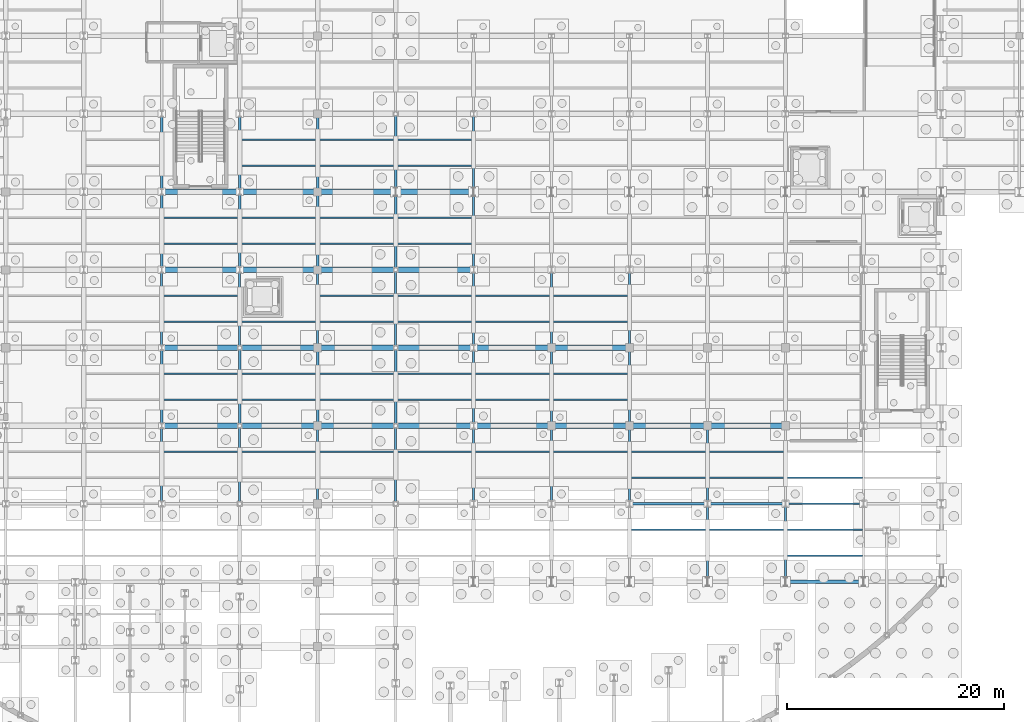
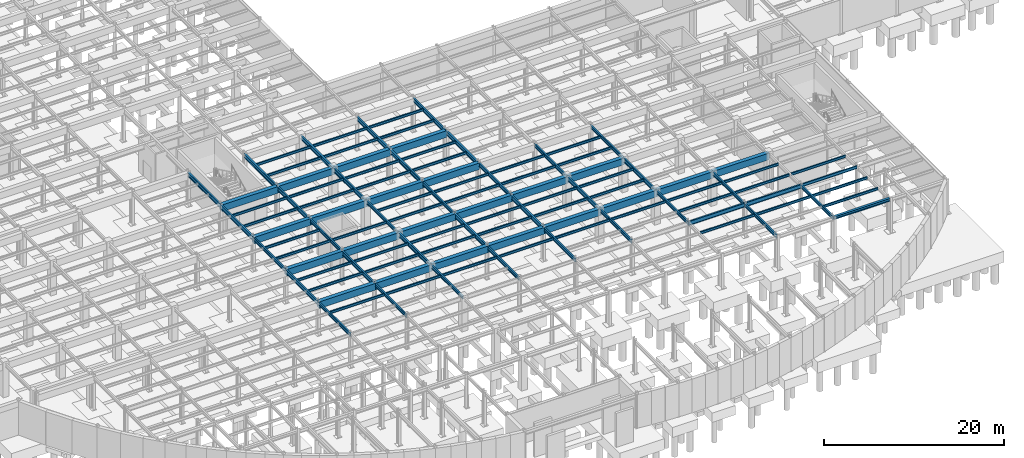
# One storey, part 35 of 64: 112 beams.
"""IFC4 building model written with IfcOpenShell, lengths in metres."""

from ifc_helpers import new_model, si_unit, direction, frame, origin, origin_2d, place, context, subcontext, project, spatial, rectangle, i_section, extrude, material, material_profile, profile_set, type_object, element, save


model = new_model("IFC4")

# Units and contexts
model_context = context("Model", 3, precision=1e-05, world=origin(), true_north=direction((0.0, 1.0)))
body_context = subcontext(model_context, "Body", "Model", "MODEL_VIEW")
ifc_project = project(units=[si_unit("LENGTHUNIT", "METRE"), si_unit("AREAUNIT", "SQUARE_METRE"), si_unit("VOLUMEUNIT", "CUBIC_METRE"), si_unit("PLANEANGLEUNIT", "RADIAN"), si_unit("MASSUNIT", "GRAM", prefix="KILO")], contexts=[model_context])

# Site, building, storey
site_placement = place(None, origin())
site = spatial("IfcSite", under=ifc_project, at=site_placement, CompositionType="ELEMENT")
building_placement = place(site_placement, origin())
building = spatial("IfcBuilding", under=site, at=building_placement, Name="Solvadek Multi-Sports Hall", CompositionType="ELEMENT")
storey_placement = place(building_placement, frame((0.0, 0.0, -4.800048828125)))
storey = spatial("IfcBuildingStorey", under=building, at=storey_placement, Name="B1", CompositionType="ELEMENT", Elevation=-4.800048828125)

# Beams
ifc_material_1 = material(Name="Steel E350 (350 MPa)", Category="steel")
ifc_material_profile_1 = material_profile(ifc_material_1, i_section(OverallWidth=0.139892578125, OverallDepth=0.39990234375, WebThickness=0.0087890625, FlangeThickness=0.01611328125, at=origin_2d()), Name="ISMB 400")
ifc_profile_set_1 = profile_set([ifc_material_profile_1], Name="Steel E350 (350 MPa)")
beam_type_1 = type_object("IfcBeamType", Name="STR-BM-ISMB400", PredefinedType="BEAM", material=ifc_profile_set_1)
beam_1_placement = place(storey_placement, frame((122.39990234375, 13.199951171875, 4.35009765625), z_axis=(1.0, 0.0, 0.0), x_axis=(0.0, 1.0, 0.0)))
element("IfcBeam", 1, at=beam_1_placement, inside=storey, type_object=beam_type_1, Name="B1 Girder B-10 #36", PredefinedType="BEAM", context=body_context, shape_type="SweptSolid", body=[
    extrude(i_section(OverallWidth=0.139892578125, OverallDepth=0.39990234375, WebThickness=0.0087890625, FlangeThickness=0.01611328125, at=origin_2d()), origin(), (0.0, 0.0, 1.0), 7.2001953125),
])
ifc_material_profile_2 = material_profile(ifc_material_1, i_section(OverallWidth=0.18994140625, OverallDepth=0.550048828125, WebThickness=0.01123046875, FlangeThickness=0.019287109375, at=origin_2d()), Name="ISMB 550")
ifc_profile_set_2 = profile_set([ifc_material_profile_2], Name="Steel E350 (350 MPa)")
beam_type_2 = type_object("IfcBeamType", Name="STR-BM-ISMB550", PredefinedType="BEAM", material=ifc_profile_set_2)
for number, where, z_axis, x_axis, name in (
    (2, (108.0, 13.199951171875, 4.275146484375), (1.0, 0.0, 0.0), (0.0, 1.0, 0.0), "B1 Girder B-06 #34"),
    (3, (115.199951171875, 13.199951171875, 4.275146484375), (1.0, 0.0, 0.0), (0.0, 1.0, 0.0), "B1 Girder B-06 #35"),
):
    element("IfcBeam", number, at=place(storey_placement, frame(where, z_axis=z_axis, x_axis=x_axis)), inside=storey, type_object=beam_type_2, Name=name, PredefinedType="BEAM", context=body_context, shape_type="SweptSolid", body=[
        extrude(i_section(OverallWidth=0.18994140625, OverallDepth=0.550048828125, WebThickness=0.01123046875, FlangeThickness=0.019287109375, at=origin_2d()), origin(), (0.0, 0.0, 1.0), 7.199951171875),
    ])
ifc_material_profile_3 = material_profile(ifc_material_1, i_section(OverallWidth=0.18994140625, OverallDepth=0.449951171875, WebThickness=0.009521484375, FlangeThickness=0.0146484375, at=origin_2d()), Name="NPB 450")
ifc_profile_set_3 = profile_set([ifc_material_profile_3], Name="Steel E350 (350 MPa)")
beam_type_3 = type_object("IfcBeamType", Name="STR-BM-NPB450", PredefinedType="BEAM", material=ifc_profile_set_3)
for number, where, z_axis, x_axis, name in (
    (4, (64.800048828125, 13.199951171875, 4.324951171875), (0.0, 1.0, 0.0), (-1.0, 0.0, 0.0), "B1 Girder B-08 #386"),
    (5, (64.800048828125, 27.60009765625, 4.324951171875), (0.0, 1.0, 0.0), (-1.0, 0.0, 0.0), "B1 Girder B-08 #388"),
    (6, (72.0, 13.199951171875, 4.324951171875), (0.0, 1.0, 0.0), (-1.0, 0.0, 0.0), "B1 Girder B-08 #406"),
    (7, (72.0, 27.60009765625, 4.324951171875), (0.0, 1.0, 0.0), (-1.0, 0.0, 0.0), "B1 Girder B-08 #408"),
    (8, (79.199951171875, 13.199951171875, 4.324951171875), (0.0, 1.0, 0.0), (-1.0, 0.0, 0.0), "B1 Girder B-08 #422"),
    (9, (79.199951171875, 27.60009765625, 4.324951171875), (0.0, 1.0, 0.0), (-1.0, 0.0, 0.0), "B1 Girder B-08 #424"),
    (10, (86.39990234375, 13.199951171875, 4.324951171875), (0.0, 1.0, 0.0), (-1.0, 0.0, 0.0), "B1 Girder B-08 #438"),
    (11, (86.39990234375, 27.60009765625, 4.324951171875), (0.0, 1.0, 0.0), (-1.0, 0.0, 0.0), "B1 Girder B-08 #440"),
    (12, (93.60009765625, 13.199951171875, 4.324951171875), (0.0, 1.0, 0.0), (-1.0, 0.0, 0.0), "B1 Girder B-08 #453"),
    (13, (93.60009765625, 27.60009765625, 4.324951171875), (0.0, 1.0, 0.0), (-1.0, 0.0, 0.0), "B1 Girder B-08 #455"),
    (14, (100.800048828125, 13.199951171875, 4.324951171875), (0.0, 1.0, 0.0), (-1.0, 0.0, 0.0), "B1 Girder B-08 #461"),
    (15, (100.800048828125, 27.60009765625, 4.324951171875), (0.0, 1.0, 0.0), (-1.0, 0.0, 0.0), "B1 Girder B-08 #463"),
    (16, (108.0, 13.199951171875, 4.324951171875), (0.0, 1.0, 0.0), (-1.0, 0.0, 0.0), "B1 Girder B-08 #470"),
    (17, (108.0, 27.60009765625, 4.324951171875), (0.0, 1.0, 0.0), (-1.0, 0.0, 0.0), "B1 Girder B-08 #472"),
    (18, (115.199951171875, 6.0, 4.324951171875), (0.0, 1.0, 0.0), (-1.0, 0.0, 0.0), "B1 Girder B-08 #477"),
    (19, (115.199951171875, 13.199951171875, 4.324951171875), (0.0, 1.0, 0.0), (-1.0, 0.0, 0.0), "B1 Girder B-08 #478"),
    (20, (122.39990234375, 6.0, 4.324951171875), (0.0, 1.0, 0.0), (-1.0, 0.0, 0.0), "B1 Girder B-08 #486"),
):
    element("IfcBeam", number, at=place(storey_placement, frame(where, z_axis=z_axis, x_axis=x_axis)), inside=storey, type_object=beam_type_3, Name=name, PredefinedType="BEAM", context=body_context, shape_type="SweptSolid", body=[
        extrude(i_section(OverallWidth=0.18994140625, OverallDepth=0.449951171875, WebThickness=0.009521484375, FlangeThickness=0.0146484375, at=origin_2d()), origin(), (0.0, 0.0, 1.0), 7.199951171875),
    ])
ifc_material_profile_4 = material_profile(ifc_material_1, i_section(OverallWidth=0.2099609375, OverallDepth=0.550048828125, WebThickness=0.010986328125, FlangeThickness=0.01708984375, at=origin_2d()), Name="NPB 550")
ifc_profile_set_4 = profile_set([ifc_material_profile_4], Name="Steel E350 (350 MPa)")
beam_type_4 = type_object("IfcBeamType", Name="STR-BM-NPB550", PredefinedType="BEAM", material=ifc_profile_set_4)
beam_2_placement = place(storey_placement, frame((64.800048828125, 20.39990234375, 4.275146484375), z_axis=(0.0, 1.0, 0.0), x_axis=(-1.0, 0.0, 0.0)))
element("IfcBeam", 21, at=beam_2_placement, inside=storey, type_object=beam_type_4, Name="B1 Girder B-05 #387", PredefinedType="BEAM", context=body_context, shape_type="SweptSolid", body=[
    extrude(i_section(OverallWidth=0.2099609375, OverallDepth=0.550048828125, WebThickness=0.010986328125, FlangeThickness=0.01708984375, at=origin_2d()), origin(), (0.0, 0.0, 1.0), 7.2001953125),
])
for number, where, z_axis, x_axis, name in (
    (22, (64.800048828125, 34.800048828125, 4.275146484375), (0.0, 1.0, 0.0), (-1.0, 0.0, 0.0), "B1 Girder B-05 #389"),
    (23, (64.800048828125, 42.0, 4.275146484375), (0.0, 1.0, 0.0), (-1.0, 0.0, 0.0), "B1 Girder B-05 #390"),
):
    element("IfcBeam", number, at=place(storey_placement, frame(where, z_axis=z_axis, x_axis=x_axis)), inside=storey, type_object=beam_type_4, Name=name, PredefinedType="BEAM", context=body_context, shape_type="SweptSolid", body=[
        extrude(i_section(OverallWidth=0.2099609375, OverallDepth=0.550048828125, WebThickness=0.010986328125, FlangeThickness=0.01708984375, at=origin_2d()), origin(), (0.0, 0.0, 1.0), 7.199951171875),
    ])
beam_3_placement = place(storey_placement, frame((72.0, 20.39990234375, 4.275146484375), z_axis=(0.0, 1.0, 0.0), x_axis=(-1.0, 0.0, 0.0)))
element("IfcBeam", 24, at=beam_3_placement, inside=storey, type_object=beam_type_4, Name="B1 Girder B-05 #407", PredefinedType="BEAM", context=body_context, shape_type="SweptSolid", body=[
    extrude(i_section(OverallWidth=0.2099609375, OverallDepth=0.550048828125, WebThickness=0.010986328125, FlangeThickness=0.01708984375, at=origin_2d()), origin(), (0.0, 0.0, 1.0), 7.2001953125),
])
for number, where, z_axis, x_axis, name in (
    (25, (72.0, 34.800048828125, 4.275146484375), (0.0, 1.0, 0.0), (-1.0, 0.0, 0.0), "B1 Girder B-05 #409"),
    (26, (72.0, 42.0, 4.275146484375), (0.0, 1.0, 0.0), (-1.0, 0.0, 0.0), "B1 Girder B-05 #410"),
):
    element("IfcBeam", number, at=place(storey_placement, frame(where, z_axis=z_axis, x_axis=x_axis)), inside=storey, type_object=beam_type_4, Name=name, PredefinedType="BEAM", context=body_context, shape_type="SweptSolid", body=[
        extrude(i_section(OverallWidth=0.2099609375, OverallDepth=0.550048828125, WebThickness=0.010986328125, FlangeThickness=0.01708984375, at=origin_2d()), origin(), (0.0, 0.0, 1.0), 7.199951171875),
    ])
beam_4_placement = place(storey_placement, frame((79.199951171875, 20.39990234375, 4.275146484375), z_axis=(0.0, 1.0, 0.0), x_axis=(-1.0, 0.0, 0.0)))
element("IfcBeam", 27, at=beam_4_placement, inside=storey, type_object=beam_type_4, Name="B1 Girder B-05 #423", PredefinedType="BEAM", context=body_context, shape_type="SweptSolid", body=[
    extrude(i_section(OverallWidth=0.2099609375, OverallDepth=0.550048828125, WebThickness=0.010986328125, FlangeThickness=0.01708984375, at=origin_2d()), origin(), (0.0, 0.0, 1.0), 7.2001953125),
])
for number, where, z_axis, x_axis, name in (
    (28, (79.199951171875, 34.800048828125, 4.275146484375), (0.0, 1.0, 0.0), (-1.0, 0.0, 0.0), "B1 Girder B-05 #425"),
    (29, (79.199951171875, 42.0, 4.275146484375), (0.0, 1.0, 0.0), (-1.0, 0.0, 0.0), "B1 Girder B-05 #426"),
):
    element("IfcBeam", number, at=place(storey_placement, frame(where, z_axis=z_axis, x_axis=x_axis)), inside=storey, type_object=beam_type_4, Name=name, PredefinedType="BEAM", context=body_context, shape_type="SweptSolid", body=[
        extrude(i_section(OverallWidth=0.2099609375, OverallDepth=0.550048828125, WebThickness=0.010986328125, FlangeThickness=0.01708984375, at=origin_2d()), origin(), (0.0, 0.0, 1.0), 7.199951171875),
    ])
beam_5_placement = place(storey_placement, frame((86.39990234375, 20.39990234375, 4.275146484375), z_axis=(0.0, 1.0, 0.0), x_axis=(-1.0, 0.0, 0.0)))
element("IfcBeam", 30, at=beam_5_placement, inside=storey, type_object=beam_type_4, Name="B1 Girder B-05 #439", PredefinedType="BEAM", context=body_context, shape_type="SweptSolid", body=[
    extrude(i_section(OverallWidth=0.2099609375, OverallDepth=0.550048828125, WebThickness=0.010986328125, FlangeThickness=0.01708984375, at=origin_2d()), origin(), (0.0, 0.0, 1.0), 7.2001953125),
])
for number, where, z_axis, x_axis, name in (
    (31, (86.39990234375, 34.800048828125, 4.275146484375), (0.0, 1.0, 0.0), (-1.0, 0.0, 0.0), "B1 Girder B-05 #441"),
    (32, (86.39990234375, 42.0, 4.275146484375), (0.0, 1.0, 0.0), (-1.0, 0.0, 0.0), "B1 Girder B-05 #442"),
):
    element("IfcBeam", number, at=place(storey_placement, frame(where, z_axis=z_axis, x_axis=x_axis)), inside=storey, type_object=beam_type_4, Name=name, PredefinedType="BEAM", context=body_context, shape_type="SweptSolid", body=[
        extrude(i_section(OverallWidth=0.2099609375, OverallDepth=0.550048828125, WebThickness=0.010986328125, FlangeThickness=0.01708984375, at=origin_2d()), origin(), (0.0, 0.0, 1.0), 7.199951171875),
    ])
beam_6_placement = place(storey_placement, frame((93.60009765625, 20.39990234375, 4.275146484375), z_axis=(0.0, 1.0, 0.0), x_axis=(-1.0, 0.0, 0.0)))
element("IfcBeam", 33, at=beam_6_placement, inside=storey, type_object=beam_type_4, Name="B1 Girder B-05 #454", PredefinedType="BEAM", context=body_context, shape_type="SweptSolid", body=[
    extrude(i_section(OverallWidth=0.2099609375, OverallDepth=0.550048828125, WebThickness=0.010986328125, FlangeThickness=0.01708984375, at=origin_2d()), origin(), (0.0, 0.0, 1.0), 7.2001953125),
])
for number, where, z_axis, x_axis, name in (
    (34, (93.60009765625, 34.800048828125, 4.275146484375), (0.0, 1.0, 0.0), (-1.0, 0.0, 0.0), "B1 Girder B-05 #456"),
    (35, (93.60009765625, 42.0, 4.275146484375), (0.0, 1.0, 0.0), (-1.0, 0.0, 0.0), "B1 Girder B-05 #457"),
):
    element("IfcBeam", number, at=place(storey_placement, frame(where, z_axis=z_axis, x_axis=x_axis)), inside=storey, type_object=beam_type_4, Name=name, PredefinedType="BEAM", context=body_context, shape_type="SweptSolid", body=[
        extrude(i_section(OverallWidth=0.2099609375, OverallDepth=0.550048828125, WebThickness=0.010986328125, FlangeThickness=0.01708984375, at=origin_2d()), origin(), (0.0, 0.0, 1.0), 7.199951171875),
    ])
for number, where, z_axis, x_axis, name in (
    (36, (100.800048828125, 20.39990234375, 4.275146484375), (0.0, 1.0, 0.0), (-1.0, 0.0, 0.0), "B1 Girder B-05 #462"),
    (37, (108.0, 20.39990234375, 4.275146484375), (0.0, 1.0, 0.0), (-1.0, 0.0, 0.0), "B1 Girder B-05 #471"),
):
    element("IfcBeam", number, at=place(storey_placement, frame(where, z_axis=z_axis, x_axis=x_axis)), inside=storey, type_object=beam_type_4, Name=name, PredefinedType="BEAM", context=body_context, shape_type="SweptSolid", body=[
        extrude(i_section(OverallWidth=0.2099609375, OverallDepth=0.550048828125, WebThickness=0.010986328125, FlangeThickness=0.01708984375, at=origin_2d()), origin(), (0.0, 0.0, 1.0), 7.2001953125),
    ])
ifc_material_profile_5 = material_profile(ifc_material_1, i_section(OverallWidth=0.159912109375, OverallDepth=0.330078125, WebThickness=0.007568359375, FlangeThickness=0.011474609375, at=origin_2d()), Name="NPB 330")
ifc_profile_set_5 = profile_set([ifc_material_profile_5], Name="Steel E350 (350 MPa)")
beam_type_5 = type_object("IfcBeamType", Name="STR-JST-NPB330", PredefinedType="JOIST", material=ifc_profile_set_5)
for number, where, z_axis, x_axis, name in (
    (38, (108.094970703125, 10.800048828125, 4.385009765625), (1.0, 0.0, 0.0), (0.0, 1.0, 0.0), "B1 Composite Joist J-02 #26"),
    (39, (115.294921875, 10.800048828125, 4.385009765625), (1.0, 0.0, 0.0), (0.0, 1.0, 0.0), "B1 Composite Joist J-02 #28"),
):
    element("IfcBeam", number, at=place(storey_placement, frame(where, z_axis=z_axis, x_axis=x_axis)), inside=storey, type_object=beam_type_5, Name=name, PredefinedType="JOIST", context=body_context, shape_type="SweptSolid", body=[
        extrude(i_section(OverallWidth=0.159912109375, OverallDepth=0.330078125, WebThickness=0.007568359375, FlangeThickness=0.011474609375, at=origin_2d()), origin(), (0.0, 0.0, 1.0), 7.010009765625),
    ])
for number, where, z_axis, x_axis, name in (
    (40, (122.4951171875, 8.39990234375, 4.385009765625), (1.0, 0.0, 0.0), (0.0, 1.0, 0.0), "B1 Composite Joist J-02 #29"),
    (41, (122.4951171875, 10.800048828125, 4.385009765625), (1.0, 0.0, 0.0), (0.0, 1.0, 0.0), "B1 Composite Joist J-02 #30"),
):
    element("IfcBeam", number, at=place(storey_placement, frame(where, z_axis=z_axis, x_axis=x_axis)), inside=storey, type_object=beam_type_5, Name=name, PredefinedType="JOIST", context=body_context, shape_type="SweptSolid", body=[
        extrude(i_section(OverallWidth=0.159912109375, OverallDepth=0.330078125, WebThickness=0.007568359375, FlangeThickness=0.011474609375, at=origin_2d()), origin(), (0.0, 0.0, 1.0), 7.009765625),
    ])
for number, where, z_axis, x_axis, name in (
    (42, (64.89501953125, 18.0, 4.385009765625), (1.0, 0.0, 0.0), (0.0, 1.0, 0.0), "B1 Composite Joist J-02 #42"),
    (43, (72.094970703125, 18.0, 4.385009765625), (1.0, 0.0, 0.0), (0.0, 1.0, 0.0), "B1 Composite Joist J-02 #44"),
    (44, (79.294921875, 18.0, 4.385009765625), (1.0, 0.0, 0.0), (0.0, 1.0, 0.0), "B1 Composite Joist J-02 #46"),
):
    element("IfcBeam", number, at=place(storey_placement, frame(where, z_axis=z_axis, x_axis=x_axis)), inside=storey, type_object=beam_type_5, Name=name, PredefinedType="JOIST", context=body_context, shape_type="SweptSolid", body=[
        extrude(i_section(OverallWidth=0.159912109375, OverallDepth=0.330078125, WebThickness=0.007568359375, FlangeThickness=0.011474609375, at=origin_2d()), origin(), (0.0, 0.0, 1.0), 7.010009765625),
    ])
beam_7_placement = place(storey_placement, frame((86.4951171875, 18.0, 4.385009765625), z_axis=(1.0, 0.0, 0.0), x_axis=(0.0, 1.0, 0.0)))
element("IfcBeam", 45, at=beam_7_placement, inside=storey, type_object=beam_type_5, Name="B1 Composite Joist J-02 #48", PredefinedType="JOIST", context=body_context, shape_type="SweptSolid", body=[
    extrude(i_section(OverallWidth=0.159912109375, OverallDepth=0.330078125, WebThickness=0.007568359375, FlangeThickness=0.011474609375, at=origin_2d()), origin(), (0.0, 0.0, 1.0), 7.009765625),
])
for number, where, z_axis, x_axis, name in (
    (46, (93.695068359375, 18.0, 4.385009765625), (1.0, 0.0, 0.0), (0.0, 1.0, 0.0), "B1 Composite Joist J-02 #50"),
    (47, (100.89501953125, 18.0, 4.385009765625), (1.0, 0.0, 0.0), (0.0, 1.0, 0.0), "B1 Composite Joist J-02 #52"),
    (48, (108.094970703125, 15.60009765625, 4.385009765625), (1.0, 0.0, 0.0), (0.0, 1.0, 0.0), "B1 Composite Joist J-02 #53"),
    (49, (108.094970703125, 18.0, 4.385009765625), (1.0, 0.0, 0.0), (0.0, 1.0, 0.0), "B1 Composite Joist J-02 #54"),
    (50, (115.294921875, 15.60009765625, 4.385009765625), (1.0, 0.0, 0.0), (0.0, 1.0, 0.0), "B1 Composite Joist J-02 #55"),
    (51, (115.294921875, 18.0, 4.385009765625), (1.0, 0.0, 0.0), (0.0, 1.0, 0.0), "B1 Composite Joist J-02 #56"),
):
    element("IfcBeam", number, at=place(storey_placement, frame(where, z_axis=z_axis, x_axis=x_axis)), inside=storey, type_object=beam_type_5, Name=name, PredefinedType="JOIST", context=body_context, shape_type="SweptSolid", body=[
        extrude(i_section(OverallWidth=0.159912109375, OverallDepth=0.330078125, WebThickness=0.007568359375, FlangeThickness=0.011474609375, at=origin_2d()), origin(), (0.0, 0.0, 1.0), 7.010009765625),
    ])
beam_8_placement = place(storey_placement, frame((122.4951171875, 15.60009765625, 4.385009765625), z_axis=(1.0, 0.0, 0.0), x_axis=(0.0, 1.0, 0.0)))
element("IfcBeam", 52, at=beam_8_placement, inside=storey, type_object=beam_type_5, Name="B1 Composite Joist J-02 #57", PredefinedType="JOIST", context=body_context, shape_type="SweptSolid", body=[
    extrude(i_section(OverallWidth=0.159912109375, OverallDepth=0.330078125, WebThickness=0.007568359375, FlangeThickness=0.011474609375, at=origin_2d()), origin(), (0.0, 0.0, 1.0), 7.009765625),
])
for number, where, z_axis, x_axis, name in (
    (53, (64.905029296875, 22.800048828125, 4.385009765625), (1.0, 0.0, 0.0), (0.0, 1.0, 0.0), "B1 Composite Joist J-02 #67"),
    (54, (64.905029296875, 25.199951171875, 4.385009765625), (1.0, 0.0, 0.0), (0.0, 1.0, 0.0), "B1 Composite Joist J-02 #68"),
    (55, (72.10498046875, 22.800048828125, 4.385009765625), (1.0, 0.0, 0.0), (0.0, 1.0, 0.0), "B1 Composite Joist J-02 #69"),
    (56, (72.10498046875, 25.199951171875, 4.385009765625), (1.0, 0.0, 0.0), (0.0, 1.0, 0.0), "B1 Composite Joist J-02 #70"),
    (57, (79.304931640625, 22.800048828125, 4.385009765625), (1.0, 0.0, 0.0), (0.0, 1.0, 0.0), "B1 Composite Joist J-02 #71"),
    (58, (79.304931640625, 25.199951171875, 4.385009765625), (1.0, 0.0, 0.0), (0.0, 1.0, 0.0), "B1 Composite Joist J-02 #72"),
):
    element("IfcBeam", number, at=place(storey_placement, frame(where, z_axis=z_axis, x_axis=x_axis)), inside=storey, type_object=beam_type_5, Name=name, PredefinedType="JOIST", context=body_context, shape_type="SweptSolid", body=[
        extrude(i_section(OverallWidth=0.159912109375, OverallDepth=0.330078125, WebThickness=0.007568359375, FlangeThickness=0.011474609375, at=origin_2d()), origin(), (0.0, 0.0, 1.0), 6.989990234375),
    ])
for number, where, z_axis, x_axis, name in (
    (59, (86.5048828125, 22.800048828125, 4.385009765625), (1.0, 0.0, 0.0), (0.0, 1.0, 0.0), "B1 Composite Joist J-02 #73"),
    (60, (86.5048828125, 25.199951171875, 4.385009765625), (1.0, 0.0, 0.0), (0.0, 1.0, 0.0), "B1 Composite Joist J-02 #74"),
):
    element("IfcBeam", number, at=place(storey_placement, frame(where, z_axis=z_axis, x_axis=x_axis)), inside=storey, type_object=beam_type_5, Name=name, PredefinedType="JOIST", context=body_context, shape_type="SweptSolid", body=[
        extrude(i_section(OverallWidth=0.159912109375, OverallDepth=0.330078125, WebThickness=0.007568359375, FlangeThickness=0.011474609375, at=origin_2d()), origin(), (0.0, 0.0, 1.0), 6.990234375),
    ])
for number, where, z_axis, x_axis, name in (
    (61, (93.705078125, 22.800048828125, 4.385009765625), (1.0, 0.0, 0.0), (0.0, 1.0, 0.0), "B1 Composite Joist J-02 #75"),
    (62, (93.705078125, 25.199951171875, 4.385009765625), (1.0, 0.0, 0.0), (0.0, 1.0, 0.0), "B1 Composite Joist J-02 #76"),
    (63, (100.905029296875, 22.800048828125, 4.385009765625), (1.0, 0.0, 0.0), (0.0, 1.0, 0.0), "B1 Composite Joist J-02 #77"),
    (64, (100.905029296875, 25.199951171875, 4.385009765625), (1.0, 0.0, 0.0), (0.0, 1.0, 0.0), "B1 Composite Joist J-02 #78"),
):
    element("IfcBeam", number, at=place(storey_placement, frame(where, z_axis=z_axis, x_axis=x_axis)), inside=storey, type_object=beam_type_5, Name=name, PredefinedType="JOIST", context=body_context, shape_type="SweptSolid", body=[
        extrude(i_section(OverallWidth=0.159912109375, OverallDepth=0.330078125, WebThickness=0.007568359375, FlangeThickness=0.011474609375, at=origin_2d()), origin(), (0.0, 0.0, 1.0), 6.989990234375),
    ])
for number, where, z_axis, x_axis, name in (
    (65, (64.89501953125, 30.0, 4.385009765625), (1.0, 0.0, 0.0), (0.0, 1.0, 0.0), "B1 Composite Joist J-02 #104"),
    (66, (64.89501953125, 32.39990234375, 4.385009765625), (1.0, 0.0, 0.0), (0.0, 1.0, 0.0), "B1 Composite Joist J-02 #105"),
    (67, (72.094970703125, 30.0, 4.385009765625), (1.0, 0.0, 0.0), (0.0, 1.0, 0.0), "B1 Composite Joist J-02 #106"),
    (68, (79.294921875, 30.0, 4.385009765625), (1.0, 0.0, 0.0), (0.0, 1.0, 0.0), "B1 Composite Joist J-02 #107"),
    (69, (79.294921875, 32.39990234375, 4.385009765625), (1.0, 0.0, 0.0), (0.0, 1.0, 0.0), "B1 Composite Joist J-02 #108"),
):
    element("IfcBeam", number, at=place(storey_placement, frame(where, z_axis=z_axis, x_axis=x_axis)), inside=storey, type_object=beam_type_5, Name=name, PredefinedType="JOIST", context=body_context, shape_type="SweptSolid", body=[
        extrude(i_section(OverallWidth=0.159912109375, OverallDepth=0.330078125, WebThickness=0.007568359375, FlangeThickness=0.011474609375, at=origin_2d()), origin(), (0.0, 0.0, 1.0), 7.010009765625),
    ])
for number, where, z_axis, x_axis, name in (
    (70, (86.4951171875, 30.0, 4.385009765625), (1.0, 0.0, 0.0), (0.0, 1.0, 0.0), "B1 Composite Joist J-02 #109"),
    (71, (86.4951171875, 32.39990234375, 4.385009765625), (1.0, 0.0, 0.0), (0.0, 1.0, 0.0), "B1 Composite Joist J-02 #110"),
):
    element("IfcBeam", number, at=place(storey_placement, frame(where, z_axis=z_axis, x_axis=x_axis)), inside=storey, type_object=beam_type_5, Name=name, PredefinedType="JOIST", context=body_context, shape_type="SweptSolid", body=[
        extrude(i_section(OverallWidth=0.159912109375, OverallDepth=0.330078125, WebThickness=0.007568359375, FlangeThickness=0.011474609375, at=origin_2d()), origin(), (0.0, 0.0, 1.0), 7.009765625),
    ])
for number, where, z_axis, x_axis, name in (
    (72, (93.695068359375, 30.0, 4.385009765625), (1.0, 0.0, 0.0), (0.0, 1.0, 0.0), "B1 Composite Joist J-02 #111"),
    (73, (93.695068359375, 32.39990234375, 4.385009765625), (1.0, 0.0, 0.0), (0.0, 1.0, 0.0), "B1 Composite Joist J-02 #112"),
    (74, (100.89501953125, 30.0, 4.385009765625), (1.0, 0.0, 0.0), (0.0, 1.0, 0.0), "B1 Composite Joist J-02 #113"),
    (75, (100.89501953125, 32.39990234375, 4.385009765625), (1.0, 0.0, 0.0), (0.0, 1.0, 0.0), "B1 Composite Joist J-02 #114"),
):
    element("IfcBeam", number, at=place(storey_placement, frame(where, z_axis=z_axis, x_axis=x_axis)), inside=storey, type_object=beam_type_5, Name=name, PredefinedType="JOIST", context=body_context, shape_type="SweptSolid", body=[
        extrude(i_section(OverallWidth=0.159912109375, OverallDepth=0.330078125, WebThickness=0.007568359375, FlangeThickness=0.011474609375, at=origin_2d()), origin(), (0.0, 0.0, 1.0), 7.010009765625),
    ])
for number, where, z_axis, x_axis, name in (
    (76, (64.905029296875, 37.199951171875, 4.385009765625), (1.0, 0.0, 0.0), (0.0, 1.0, 0.0), "B1 Composite Joist J-02 #139"),
    (77, (64.905029296875, 39.60009765625, 4.385009765625), (1.0, 0.0, 0.0), (0.0, 1.0, 0.0), "B1 Composite Joist J-02 #140"),
    (78, (72.10498046875, 37.199951171875, 4.385009765625), (1.0, 0.0, 0.0), (0.0, 1.0, 0.0), "B1 Composite Joist J-02 #141"),
    (79, (72.10498046875, 39.60009765625, 4.385009765625), (1.0, 0.0, 0.0), (0.0, 1.0, 0.0), "B1 Composite Joist J-02 #142"),
    (80, (79.304931640625, 37.199951171875, 4.385009765625), (1.0, 0.0, 0.0), (0.0, 1.0, 0.0), "B1 Composite Joist J-02 #143"),
    (81, (79.304931640625, 39.60009765625, 4.385009765625), (1.0, 0.0, 0.0), (0.0, 1.0, 0.0), "B1 Composite Joist J-02 #144"),
):
    element("IfcBeam", number, at=place(storey_placement, frame(where, z_axis=z_axis, x_axis=x_axis)), inside=storey, type_object=beam_type_5, Name=name, PredefinedType="JOIST", context=body_context, shape_type="SweptSolid", body=[
        extrude(i_section(OverallWidth=0.159912109375, OverallDepth=0.330078125, WebThickness=0.007568359375, FlangeThickness=0.011474609375, at=origin_2d()), origin(), (0.0, 0.0, 1.0), 6.989990234375),
    ])
for number, where, z_axis, x_axis, name in (
    (82, (86.5048828125, 37.199951171875, 4.385009765625), (1.0, 0.0, 0.0), (0.0, 1.0, 0.0), "B1 Composite Joist J-02 #145"),
    (83, (86.5048828125, 39.60009765625, 4.385009765625), (1.0, 0.0, 0.0), (0.0, 1.0, 0.0), "B1 Composite Joist J-02 #146"),
):
    element("IfcBeam", number, at=place(storey_placement, frame(where, z_axis=z_axis, x_axis=x_axis)), inside=storey, type_object=beam_type_5, Name=name, PredefinedType="JOIST", context=body_context, shape_type="SweptSolid", body=[
        extrude(i_section(OverallWidth=0.159912109375, OverallDepth=0.330078125, WebThickness=0.007568359375, FlangeThickness=0.011474609375, at=origin_2d()), origin(), (0.0, 0.0, 1.0), 6.990234375),
    ])
for number, where, z_axis, x_axis, name in (
    (84, (72.10498046875, 44.39990234375, 4.385009765625), (1.0, 0.0, 0.0), (0.0, 1.0, 0.0), "B1 Composite Joist J-02 #169"),
    (85, (72.10498046875, 46.800048828125, 4.385009765625), (1.0, 0.0, 0.0), (0.0, 1.0, 0.0), "B1 Composite Joist J-02 #170"),
    (86, (79.304931640625, 44.39990234375, 4.385009765625), (1.0, 0.0, 0.0), (0.0, 1.0, 0.0), "B1 Composite Joist J-02 #171"),
    (87, (79.304931640625, 46.800048828125, 4.385009765625), (1.0, 0.0, 0.0), (0.0, 1.0, 0.0), "B1 Composite Joist J-02 #172"),
):
    element("IfcBeam", number, at=place(storey_placement, frame(where, z_axis=z_axis, x_axis=x_axis)), inside=storey, type_object=beam_type_5, Name=name, PredefinedType="JOIST", context=body_context, shape_type="SweptSolid", body=[
        extrude(i_section(OverallWidth=0.159912109375, OverallDepth=0.330078125, WebThickness=0.007568359375, FlangeThickness=0.011474609375, at=origin_2d()), origin(), (0.0, 0.0, 1.0), 6.989990234375),
    ])
for number, where, z_axis, x_axis, name in (
    (88, (86.5048828125, 44.39990234375, 4.385009765625), (1.0, 0.0, 0.0), (0.0, 1.0, 0.0), "B1 Composite Joist J-02 #173"),
    (89, (86.5048828125, 46.800048828125, 4.385009765625), (1.0, 0.0, 0.0), (0.0, 1.0, 0.0), "B1 Composite Joist J-02 #174"),
):
    element("IfcBeam", number, at=place(storey_placement, frame(where, z_axis=z_axis, x_axis=x_axis)), inside=storey, type_object=beam_type_5, Name=name, PredefinedType="JOIST", context=body_context, shape_type="SweptSolid", body=[
        extrude(i_section(OverallWidth=0.159912109375, OverallDepth=0.330078125, WebThickness=0.007568359375, FlangeThickness=0.011474609375, at=origin_2d()), origin(), (0.0, 0.0, 1.0), 6.990234375),
    ])
ifc_material_profile_6 = material_profile(ifc_material_1, i_section(OverallWidth=0.300048828125, OverallDepth=0.39990234375, WebThickness=0.013427734375, FlangeThickness=0.02392578125, at=origin_2d()), Name="WPB 400")
ifc_profile_set_6 = profile_set([ifc_material_profile_6], Name="Steel E350 (350 MPa)")
beam_type_6 = type_object("IfcBeamType", Name="STR-SPN-WPB400", PredefinedType="SPANDREL", material=ifc_profile_set_6)
beam_9_placement = place(storey_placement, frame((122.39990234375, 6.0, 4.35009765625), z_axis=(1.0, 0.0, 0.0), x_axis=(0.0, 1.0, 0.0)))
element("IfcBeam", 90, at=beam_9_placement, inside=storey, type_object=beam_type_6, Name="B1 Girder SP-02 #22", PredefinedType="SPANDREL", context=body_context, shape_type="SweptSolid", body=[
    extrude(i_section(OverallWidth=0.300048828125, OverallDepth=0.39990234375, WebThickness=0.013427734375, FlangeThickness=0.02392578125, at=origin_2d()), origin(), (0.0, 0.0, 1.0), 7.2001953125),
])
ifc_material_2 = material(Name="Concrete M35", Category="concrete")
ifc_material_profile_7 = material_profile(ifc_material_2, rectangle(XDim=0.5, YDim=0.89990234375, at=origin_2d()), Name="RC T-BEAM 500x900")
ifc_profile_set_7 = profile_set([ifc_material_profile_7], Name="Concrete M35")
beam_type_7 = type_object("IfcBeamType", Name="STR-TBM-500X900", PredefinedType="T_BEAM", material=ifc_profile_set_7)
for number, where, z_axis, x_axis, name in (
    (91, (64.800048828125, 20.39990234375, 4.10009765625), (1.0, 0.0, 0.0), (0.0, 1.0, 0.0), "B1 Girder TB-02 #47"),
    (92, (72.0, 20.39990234375, 4.10009765625), (1.0, 0.0, 0.0), (0.0, 1.0, 0.0), "B1 Girder TB-02 #48"),
    (93, (79.199951171875, 20.39990234375, 4.10009765625), (1.0, 0.0, 0.0), (0.0, 1.0, 0.0), "B1 Girder TB-02 #49"),
):
    element("IfcBeam", number, at=place(storey_placement, frame(where, z_axis=z_axis, x_axis=x_axis)), inside=storey, type_object=beam_type_7, Name=name, PredefinedType="T_BEAM", context=body_context, shape_type="SweptSolid", body=[
        extrude(rectangle(XDim=0.5, YDim=0.89990234375, at=origin_2d()), origin(), (0.0, 0.0, 1.0), 7.199951171875),
    ])
beam_10_placement = place(storey_placement, frame((86.39990234375, 20.39990234375, 4.10009765625), z_axis=(1.0, 0.0, 0.0), x_axis=(0.0, 1.0, 0.0)))
element("IfcBeam", 94, at=beam_10_placement, inside=storey, type_object=beam_type_7, Name="B1 Girder TB-02 #50", PredefinedType="T_BEAM", context=body_context, shape_type="SweptSolid", body=[
    extrude(rectangle(XDim=0.5, YDim=0.89990234375, at=origin_2d()), origin(), (0.0, 0.0, 1.0), 7.2001953125),
])
for number, where, z_axis, x_axis, name in (
    (95, (93.60009765625, 20.39990234375, 4.10009765625), (1.0, 0.0, 0.0), (0.0, 1.0, 0.0), "B1 Girder TB-02 #51"),
    (96, (100.800048828125, 20.39990234375, 4.10009765625), (1.0, 0.0, 0.0), (0.0, 1.0, 0.0), "B1 Girder TB-02 #52"),
    (97, (108.0, 20.39990234375, 4.10009765625), (1.0, 0.0, 0.0), (0.0, 1.0, 0.0), "B1 Girder TB-02 #53"),
    (98, (115.199951171875, 20.39990234375, 4.10009765625), (1.0, 0.0, 0.0), (0.0, 1.0, 0.0), "B1 Girder TB-02 #54"),
    (99, (64.800048828125, 27.60009765625, 4.10009765625), (1.0, 0.0, 0.0), (0.0, 1.0, 0.0), "B1 Girder TB-02 #68"),
    (100, (72.0, 27.60009765625, 4.10009765625), (1.0, 0.0, 0.0), (0.0, 1.0, 0.0), "B1 Girder TB-02 #69"),
    (101, (79.199951171875, 27.60009765625, 4.10009765625), (1.0, 0.0, 0.0), (0.0, 1.0, 0.0), "B1 Girder TB-02 #70"),
):
    element("IfcBeam", number, at=place(storey_placement, frame(where, z_axis=z_axis, x_axis=x_axis)), inside=storey, type_object=beam_type_7, Name=name, PredefinedType="T_BEAM", context=body_context, shape_type="SweptSolid", body=[
        extrude(rectangle(XDim=0.5, YDim=0.89990234375, at=origin_2d()), origin(), (0.0, 0.0, 1.0), 7.199951171875),
    ])
beam_11_placement = place(storey_placement, frame((86.39990234375, 27.60009765625, 4.10009765625), z_axis=(1.0, 0.0, 0.0), x_axis=(0.0, 1.0, 0.0)))
element("IfcBeam", 102, at=beam_11_placement, inside=storey, type_object=beam_type_7, Name="B1 Girder TB-02 #71", PredefinedType="T_BEAM", context=body_context, shape_type="SweptSolid", body=[
    extrude(rectangle(XDim=0.5, YDim=0.89990234375, at=origin_2d()), origin(), (0.0, 0.0, 1.0), 7.2001953125),
])
for number, where, z_axis, x_axis, name in (
    (103, (93.60009765625, 27.60009765625, 4.10009765625), (1.0, 0.0, 0.0), (0.0, 1.0, 0.0), "B1 Girder TB-02 #72"),
    (104, (100.800048828125, 27.60009765625, 4.10009765625), (1.0, 0.0, 0.0), (0.0, 1.0, 0.0), "B1 Girder TB-02 #73"),
    (105, (64.800048828125, 34.800048828125, 4.10009765625), (1.0, 0.0, 0.0), (0.0, 1.0, 0.0), "B1 Girder TB-02 #86"),
    (106, (72.0, 34.800048828125, 4.10009765625), (1.0, 0.0, 0.0), (0.0, 1.0, 0.0), "B1 Girder TB-02 #87"),
    (107, (79.199951171875, 34.800048828125, 4.10009765625), (1.0, 0.0, 0.0), (0.0, 1.0, 0.0), "B1 Girder TB-02 #88"),
):
    element("IfcBeam", number, at=place(storey_placement, frame(where, z_axis=z_axis, x_axis=x_axis)), inside=storey, type_object=beam_type_7, Name=name, PredefinedType="T_BEAM", context=body_context, shape_type="SweptSolid", body=[
        extrude(rectangle(XDim=0.5, YDim=0.89990234375, at=origin_2d()), origin(), (0.0, 0.0, 1.0), 7.199951171875),
    ])
beam_12_placement = place(storey_placement, frame((86.39990234375, 34.800048828125, 4.10009765625), z_axis=(1.0, 0.0, 0.0), x_axis=(0.0, 1.0, 0.0)))
element("IfcBeam", 108, at=beam_12_placement, inside=storey, type_object=beam_type_7, Name="B1 Girder TB-02 #89", PredefinedType="T_BEAM", context=body_context, shape_type="SweptSolid", body=[
    extrude(rectangle(XDim=0.5, YDim=0.89990234375, at=origin_2d()), origin(), (0.0, 0.0, 1.0), 7.2001953125),
])
for number, where, z_axis, x_axis, name in (
    (109, (64.800048828125, 42.0, 4.10009765625), (1.0, 0.0, 0.0), (0.0, 1.0, 0.0), "B1 Girder TB-02 #105"),
    (110, (72.0, 42.0, 4.10009765625), (1.0, 0.0, 0.0), (0.0, 1.0, 0.0), "B1 Girder TB-02 #106"),
    (111, (79.199951171875, 42.0, 4.10009765625), (1.0, 0.0, 0.0), (0.0, 1.0, 0.0), "B1 Girder TB-02 #107"),
):
    element("IfcBeam", number, at=place(storey_placement, frame(where, z_axis=z_axis, x_axis=x_axis)), inside=storey, type_object=beam_type_7, Name=name, PredefinedType="T_BEAM", context=body_context, shape_type="SweptSolid", body=[
        extrude(rectangle(XDim=0.5, YDim=0.89990234375, at=origin_2d()), origin(), (0.0, 0.0, 1.0), 7.199951171875),
    ])
beam_13_placement = place(storey_placement, frame((86.39990234375, 42.0, 4.10009765625), z_axis=(1.0, 0.0, 0.0), x_axis=(0.0, 1.0, 0.0)))
element("IfcBeam", 112, at=beam_13_placement, inside=storey, type_object=beam_type_7, Name="B1 Girder TB-02 #108", PredefinedType="T_BEAM", context=body_context, shape_type="SweptSolid", body=[
    extrude(rectangle(XDim=0.5, YDim=0.89990234375, at=origin_2d()), origin(), (0.0, 0.0, 1.0), 7.2001953125),
])

save(model, "model.ifc")
